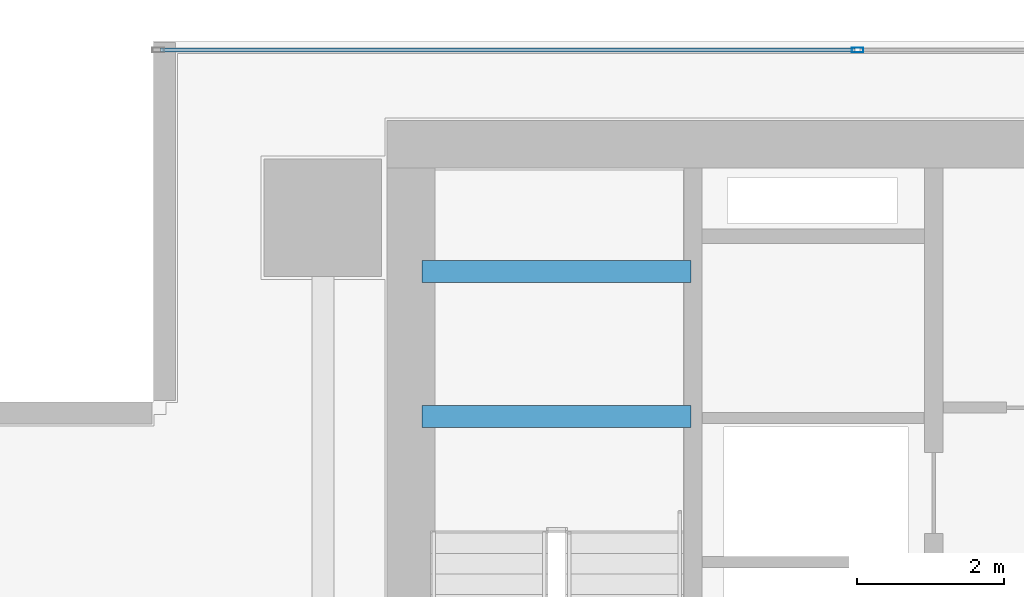
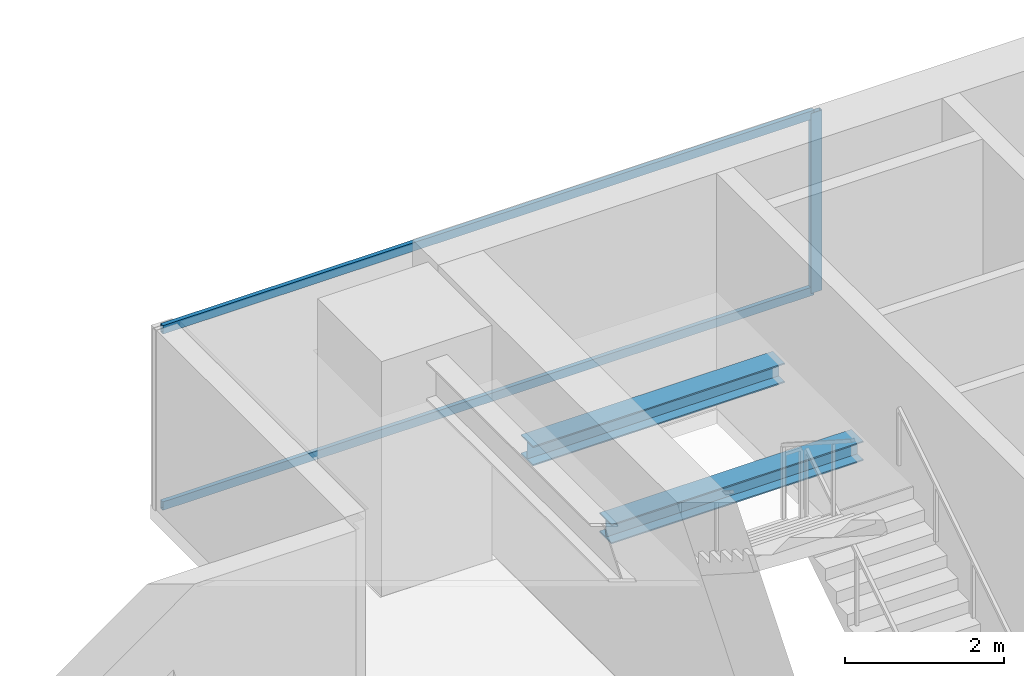
# One storey, part 15 of 27: 3 members, 2 beams, 1 element without a shape of its own.
"""IFC4 building model written with IfcOpenShell, lengths in metres."""

import ifcopenshell
import ifcopenshell.guid

model = None  # the IFC model being written
_history = None  # IfcOwnerHistory: only IFC2X3 demands one
_inside = {}  # id of a spatial element -> (the spatial element, [elements in it])
_under = {}  # id of a project, library or spatial element -> (it, [spatial elements below it])
_declared = {}  # id of a project -> (the project, [libraries it declares])
_typed = {}  # id of a type object -> (the type object, [elements of that type])
_made_of = {}  # id of a material, layer set ... -> (it, [elements and type objects made of it])


def new_model(schema):
    """Start an empty IFC model of exactly this schema.

    Asked for "IFC4X3", IfcOpenShell would pick the latest addendum, in which some entities
    have other attributes; the version numbers below select the first issue.
    IFC2X3 requires an IfcOwnerHistory on every rooted entity: one is made here for all.
    """
    global model, _history
    if schema == "IFC4X3":
        model = ifcopenshell.file(schema_version=(4, 3, 0, 0))
    else:
        model = ifcopenshell.file(schema=schema)
    _inside.clear()
    _under.clear()
    _declared.clear()
    _typed.clear()
    _made_of.clear()
    _history = None
    if model.schema == "IFC2X3":
        org = make("IfcOrganization", Name="unknown")
        user = make(
            "IfcPersonAndOrganization",
            ThePerson=make("IfcPerson", FamilyName="unknown"),
            TheOrganization=org,
        )
        app = make(
            "IfcApplication",
            ApplicationDeveloper=org,
            Version="unknown",
            ApplicationFullName="unknown",
            ApplicationIdentifier="unknown",
        )
        _history = make(
            "IfcOwnerHistory",
            OwningUser=user,
            OwningApplication=app,
            ChangeAction="ADDED",
            CreationDate=0,
        )
    return model


def make(cls, **values):
    """One entity of the class cls with the attributes given. An attribute that is None is left unset."""
    return model.create_entity(
        cls, **{name: value for name, value in values.items() if value is not None}
    )


def rooted(cls, **values):
    """An entity with a GlobalId (a new one), such as an element, a storey or a relation."""
    return make(cls, GlobalId=ifcopenshell.guid.new(), OwnerHistory=_history, **values)


def si_unit(unit_type, name, prefix=None):
    """IfcSIUnit, for example si_unit("LENGTHUNIT", "METRE", prefix="MILLI")."""
    return make("IfcSIUnit", UnitType=unit_type, Prefix=prefix, Name=name)


def assignment(units):
    """IfcUnitAssignment: the units of a project."""
    return None if units is None else make("IfcUnitAssignment", Units=units)


def point(xyz):
    """IfcCartesianPoint."""
    return None if xyz is None else make("IfcCartesianPoint", Coordinates=xyz)


def direction(xyz):
    """IfcDirection."""
    return None if xyz is None else make("IfcDirection", DirectionRatios=xyz)


def frame(location, z_axis=None, x_axis=None):
    """IfcAxis2Placement3D, a coordinate frame: its origin and axes. An axis left out is left unset."""
    return make(
        "IfcAxis2Placement3D",
        Location=point(location),
        Axis=direction(z_axis),
        RefDirection=direction(x_axis),
    )


def frame_2d(location, x_axis=None):
    """IfcAxis2Placement2D, a coordinate frame in the plane: its origin and x axis."""
    return make(
        "IfcAxis2Placement2D", Location=point(location), RefDirection=direction(x_axis)
    )


def origin():
    """The frame at (0, 0, 0) with its axes left unset."""
    return frame((0.0, 0.0, 0.0))


def origin_2d():
    """The frame at (0, 0) in the plane with its x axis left unset."""
    return frame_2d((0.0, 0.0))


def place(relative_to, where):
    """IfcLocalPlacement: puts the frame where relative to a parent placement (None: the world)."""
    return make(
        "IfcLocalPlacement", PlacementRelTo=relative_to, RelativePlacement=where
    )


def context(
    kind, dimensions, precision=None, world=None, true_north=None, identifier=None
):
    """IfcGeometricRepresentationContext, for example the 3D "Model" context."""
    return make(
        "IfcGeometricRepresentationContext",
        ContextIdentifier=identifier,
        ContextType=kind,
        CoordinateSpaceDimension=dimensions,
        Precision=precision,
        WorldCoordinateSystem=world,
        TrueNorth=true_north,
    )


def subcontext(parent, identifier, kind, view, scale=None):
    """IfcGeometricRepresentationSubContext, for example "Body" below "Model"."""
    return make(
        "IfcGeometricRepresentationSubContext",
        ContextIdentifier=identifier,
        ContextType=kind,
        ParentContext=parent,
        TargetScale=scale,
        TargetView=view,
    )


def project(units=None, contexts=None):
    """IfcProject with its units and contexts."""
    return rooted(
        "IfcProject",
        Name="project",
        RepresentationContexts=contexts,
        UnitsInContext=assignment(units),
    )


def spatial(cls, under=None, at=None, **own):
    """A site, building, storey or space (cls), placed at a placement, below another one or the project."""
    s = rooted(cls, ObjectPlacement=at, **own)
    if under is not None:
        _under.setdefault(under.id(), (under, []))[1].append(s)
    return s


def profile(cls, at=None, kind="AREA", **sizes):
    """A parametric profile (cls). Its sizes go by their IFC names, for example OverallWidth=200.0."""
    return make(cls, ProfileType=kind, Position=at, **sizes)


def hollow_rectangle(**sizes):
    """IfcRectangleHollowProfileDef."""
    return profile("IfcRectangleHollowProfileDef", **sizes)


def i_section(**sizes):
    """IfcIShapeProfileDef."""
    return profile("IfcIShapeProfileDef", **sizes)


def extrude(swept, where, along, depth):
    """IfcExtrudedAreaSolid: the profile swept, set in the frame where, extruded along a direction by depth."""
    return make(
        "IfcExtrudedAreaSolid",
        SweptArea=swept,
        Position=where,
        ExtrudedDirection=direction(along),
        Depth=depth,
    )


def shape(context_of_items, identifier, shape_type, items):
    """IfcShapeRepresentation: the items that make up one representation, for example the "Body"."""
    return make(
        "IfcShapeRepresentation",
        ContextOfItems=context_of_items,
        RepresentationIdentifier=identifier,
        RepresentationType=shape_type,
        Items=items,
    )


def source(mapping_origin, context_of_items, identifier, shape_type, items):
    """IfcRepresentationMap: a shape defined once, which mapped items show again and again."""
    return make(
        "IfcRepresentationMap",
        MappingOrigin=mapping_origin,
        MappedRepresentation=shape(context_of_items, identifier, shape_type, items),
    )


def transform(
    local_origin,
    x_axis=None,
    y_axis=None,
    z_axis=None,
    scale=None,
    scale2=None,
    scale3=None,
    uniform=True,
):
    """IfcCartesianTransformationOperator3D, or its non-uniform kind. x_axis, y_axis, z_axis: its Axis1, 2, 3."""
    if uniform:
        return make(
            "IfcCartesianTransformationOperator3D",
            Axis1=direction(x_axis),
            Axis2=direction(y_axis),
            LocalOrigin=point(local_origin),
            Scale=scale,
            Axis3=direction(z_axis),
        )
    return make(
        "IfcCartesianTransformationOperator3DnonUniform",
        Axis1=direction(x_axis),
        Axis2=direction(y_axis),
        LocalOrigin=point(local_origin),
        Scale=scale,
        Axis3=direction(z_axis),
        Scale2=scale2,
        Scale3=scale3,
    )


def mapped(mapping_source, mapping_target):
    """IfcMappedItem: shows the shape of a source again, moved by a transform."""
    return make(
        "IfcMappedItem", MappingSource=mapping_source, MappingTarget=mapping_target
    )


def material(Name=None, Category=None):
    """IfcMaterial."""
    return make("IfcMaterial", Name=Name, Category=Category)


def layer(
    of_material, thickness, ventilated=None, Name=None, Category=None, Priority=None
):
    """IfcMaterialLayer: one layer of a wall or slab, of a material (None: an air gap)."""
    return make(
        "IfcMaterialLayer",
        Material=of_material,
        LayerThickness=thickness,
        IsVentilated=ventilated,
        Name=Name,
        Category=Category,
        Priority=Priority,
    )


def layer_set(layers, Name=None):
    """IfcMaterialLayerSet."""
    return make("IfcMaterialLayerSet", MaterialLayers=layers, LayerSetName=Name)


def material_profile(
    of_material, cross_section, Name=None, Category=None, Priority=None
):
    """IfcMaterialProfile: a cross section and its material."""
    return make(
        "IfcMaterialProfile",
        Name=Name,
        Material=of_material,
        Profile=cross_section,
        Priority=Priority,
        Category=Category,
    )


def profile_set(profiles, Name=None, composite=None):
    """IfcMaterialProfileSet."""
    return make(
        "IfcMaterialProfileSet",
        Name=Name,
        MaterialProfiles=profiles,
        CompositeProfile=composite,
    )


def made_of(thing, what):
    """Note that an element or type object is made of a material, layer set ...; save() writes the relation."""
    if what is not None:
        _made_of.setdefault(what.id(), (what, []))[1].append(thing)
    return thing


def type_object(cls, material=None, **own):
    """A type object (cls), such as IfcWallType, which elements share."""
    return made_of(rooted(cls, **own), material)


def element(
    cls,
    number,
    at=None,
    inside=None,
    cuts=None,
    type_object=None,
    material=None,
    context=None,
    identifier="Body",
    shape_type=None,
    held_by="IfcProductDefinitionShape",
    body=None,
    shapes=None,
    **own,
):
    """One element of the class cls, such as IfcWall. Its Tag is "e" and its number.

    at: its placement. inside: the storey or other place that contains it. cuts: it is an
    opening in that element (IfcRelVoidsElement). A single representation is given by context,
    identifier, shape_type and body (its items); several are given by shapes. held_by: the class
    of the entity that holds the representations. save() writes the other relations.
    """
    e = rooted(cls, Tag="e%d" % number, ObjectPlacement=at, **own)
    if body is not None:
        shapes = [shape(context, identifier, shape_type, body)]
    if shapes is not None:
        e.Representation = make(held_by, Representations=shapes)
    if inside is not None:
        _inside.setdefault(inside.id(), (inside, []))[1].append(e)
    if cuts is not None:
        rooted(
            "IfcRelVoidsElement", RelatingBuildingElement=cuts, RelatedOpeningElement=e
        )
    if type_object is not None:
        _typed.setdefault(type_object.id(), (type_object, []))[1].append(e)
    return made_of(e, material)


def aggregate(whole, parts):
    """IfcRelAggregates: a whole, such as a stair, and the parts it consists of."""
    return rooted("IfcRelAggregates", RelatingObject=whole, RelatedObjects=parts)


def save(model, path):
    """Write the relations noted so far, then the file.

    IfcRelAggregates (storeys below a building ...), IfcRelContainedInSpatialStructure (elements
    in a storey), IfcRelDefinesByType, IfcRelAssociatesMaterial and IfcRelDeclares: one each for
    every whole, place, type object, material and project.
    """
    for whole, parts in _under.values():
        aggregate(whole, parts)
    for where, things in _inside.values():
        rooted(
            "IfcRelContainedInSpatialStructure",
            RelatedElements=things,
            RelatingStructure=where,
        )
    for kind, things in _typed.values():
        rooted("IfcRelDefinesByType", RelatedObjects=things, RelatingType=kind)
    for what, things in _made_of.values():
        rooted("IfcRelAssociatesMaterial", RelatedObjects=things, RelatingMaterial=what)
    for by, libraries in _declared.values():
        rooted("IfcRelDeclares", RelatingContext=by, RelatedDefinitions=libraries)
    model.write(path)


model = new_model("IFC4")

# Units and contexts
model_context = context("Model", 3, precision=1e-05, world=origin(), true_north=direction((0.0, 1.0)))
body_context = subcontext(model_context, "Body", "Model", "MODEL_VIEW")
ifc_project = project(units=[si_unit("LENGTHUNIT", "METRE"), si_unit("AREAUNIT", "SQUARE_METRE"), si_unit("VOLUMEUNIT", "CUBIC_METRE"), si_unit("PLANEANGLEUNIT", "RADIAN"), si_unit("MASSUNIT", "GRAM", prefix="KILO")], contexts=[model_context])

# Site, building, storey
site_placement = place(None, origin())
site = spatial("IfcSite", under=ifc_project, at=site_placement, CompositionType="ELEMENT")
building_placement = place(site_placement, origin())
building = spatial("IfcBuilding", under=site, at=building_placement, Name="Sumidabori Civic Tower", CompositionType="ELEMENT")
storey_placement = place(building_placement, frame((0.0, 0.0, 135.199951171875)))
storey = spatial("IfcBuildingStorey", under=building, at=storey_placement, Name="L34", CompositionType="ELEMENT", Elevation=135.199951171875)

# Beams
ifc_material_1 = material(Name="Steel SN490", Category="steel")
ifc_material_profile_1 = material_profile(ifc_material_1, i_section(OverallWidth=0.300048828125, OverallDepth=0.300048828125, WebThickness=0.010986328125, FlangeThickness=0.01904296875, at=origin_2d()), Name="HE 300 B")
ifc_profile_set_1 = profile_set([ifc_material_profile_1], Name="Steel SN490")
beam_type = type_object("IfcBeamType", Name="BM-LDG-300", PredefinedType="BEAM", material=ifc_profile_set_1)
shared_shape_1 = source(origin(), body_context, "Body", "SweptSolid", [
    extrude(i_section(OverallWidth=0.300048828125, OverallDepth=0.300048828125, WebThickness=0.010986328125, FlangeThickness=0.01904296875, at=origin_2d()), origin(), (0.0, 0.0, 1.0), 3.64990234375),
])
for number, where, z_axis, x_axis, name in (
    (1, (-15.449951171875, 20.09765625, 1.449951171875), (1.0, 0.0, 0.0), (0.0, 1.0, 0.0), "Stair ST-1 Landing Support Beam L34-1A"),
    (2, (-15.449951171875, 22.069580078125, 1.449951171875), (1.0, 0.0, 0.0), (0.0, 1.0, 0.0), "Stair ST-1 Landing Trimmer Beam L34-1B"),
):
    element("IfcBeam", number, at=place(storey_placement, frame(where, z_axis=z_axis, x_axis=x_axis)), inside=storey, type_object=beam_type, Name=name, PredefinedType="BEAM", context=body_context, shape_type="MappedRepresentation", body=[
        mapped(shared_shape_1, transform((0.0, 0.0, 0.0), x_axis=(1.0, 0.0, 0.0), y_axis=(0.0, 1.0, 0.0), z_axis=(0.0, 0.0, 1.0), scale=1.0)),
    ])

# Curtain wall, members
ifc_material_2 = material(Name="Anodised Bronze Aluminium AW-6063-T6", Category="aluminium")
ifc_layer = layer(ifc_material_2, 0.179931640625, Name="Anodised Bronze Aluminium AW-6063-T6")
ifc_layer_set = layer_set([ifc_layer], Name="Anodised Bronze Aluminium AW-6063-T6")
curtain_wall_type = type_object("IfcCurtainWallType", Name="CW-SYS-3", PredefinedType="NOTDEFINED", material=ifc_layer_set)
curtain_wall_placement = place(storey_placement, origin())
curtain_wall = element("IfcCurtainWall", 3, at=curtain_wall_placement, inside=storey, type_object=curtain_wall_type, Name="Curtain Wall CW:L34:R07", PredefinedType="NOTDEFINED")
ifc_material_profile_2 = material_profile(ifc_material_2, hollow_rectangle(XDim=0.06494140625, YDim=0.159912109375, WallThickness=0.0048828125, at=origin_2d()), Name="ALU MULLION 160x65")
ifc_profile_set_2 = profile_set([ifc_material_profile_2], Name="Anodised Bronze Aluminium AW-6063-T6")
member_type_1 = type_object("IfcMemberType", Name="CW-MUL-160", PredefinedType="MULLION", material=ifc_profile_set_2)
shared_shape_2 = source(origin(), body_context, "Body", "SweptSolid", [
    extrude(hollow_rectangle(XDim=0.06494140625, YDim=0.159912109375, WallThickness=0.0048828125, at=origin_2d()), origin(), (0.0, 0.0, 1.0), 2.760009765625),
])
member_1_placement = place(storey_placement, frame((-9.534912109375, 25.080078125, 0.0), z_axis=(0.0, 0.0, 1.0), x_axis=(0.0, -1.0, 0.0)))
member_1 = element("IfcMember", 4, at=member_1_placement, type_object=member_type_1, Name="CW-3 mullion 4", PredefinedType="MULLION", context=body_context, shape_type="MappedRepresentation", body=[
    mapped(shared_shape_2, transform((0.0, 0.0, 0.0), x_axis=(1.0, 0.0, 0.0), y_axis=(0.0, 1.0, 0.0), z_axis=(0.0, 0.0, 1.0), scale=1.0)),
])
ifc_material_profile_3 = material_profile(ifc_material_2, hollow_rectangle(XDim=0.06005859375, YDim=0.1298828125, WallThickness=0.0048828125, at=origin_2d()), Name="ALU TRANSOM 130x60")
ifc_profile_set_3 = profile_set([ifc_material_profile_3], Name="Anodised Bronze Aluminium AW-6063-T6")
member_type_2 = type_object("IfcMemberType", Name="CW-TRN-130", PredefinedType="USERDEFINED", material=ifc_profile_set_3)
shared_shape_3 = source(origin(), body_context, "Body", "SweptSolid", [
    extrude(hollow_rectangle(XDim=0.06005859375, YDim=0.1298828125, WallThickness=0.0048828125, at=origin_2d()), origin(), (0.0, 0.0, 1.0), 9.4375),
])
member_2_placement = place(storey_placement, frame((-9.5673828125, 25.080078125, 0.030029296875), z_axis=(-1.0, 0.0, 0.0), x_axis=(0.0, -1.0, 0.0)))
member_2 = element("IfcMember", 5, at=member_2_placement, type_object=member_type_2, Name="CW-3 transom 4.1", ObjectType="TRANSOM", PredefinedType="USERDEFINED", context=body_context, shape_type="MappedRepresentation", body=[
    mapped(shared_shape_3, transform((0.0, 0.0, 0.0), x_axis=(1.0, 0.0, 0.0), y_axis=(0.0, 1.0, 0.0), z_axis=(0.0, 0.0, 1.0), scale=1.0)),
])
member_3_placement = place(storey_placement, frame((-9.5673828125, 25.080078125, 2.72998046875), z_axis=(-1.0, 0.0, 0.0), x_axis=(0.0, -1.0, 0.0)))
member_3 = element("IfcMember", 6, at=member_3_placement, type_object=member_type_2, Name="CW-3 transom 4.2", ObjectType="TRANSOM", PredefinedType="USERDEFINED", context=body_context, shape_type="MappedRepresentation", body=[
    mapped(shared_shape_3, transform((0.0, 0.0, 0.0), x_axis=(1.0, 0.0, 0.0), y_axis=(0.0, 1.0, 0.0), z_axis=(0.0, 0.0, 1.0), scale=1.0)),
])
aggregate(curtain_wall, [member_1, member_2, member_3])

save(model, "model.ifc")
